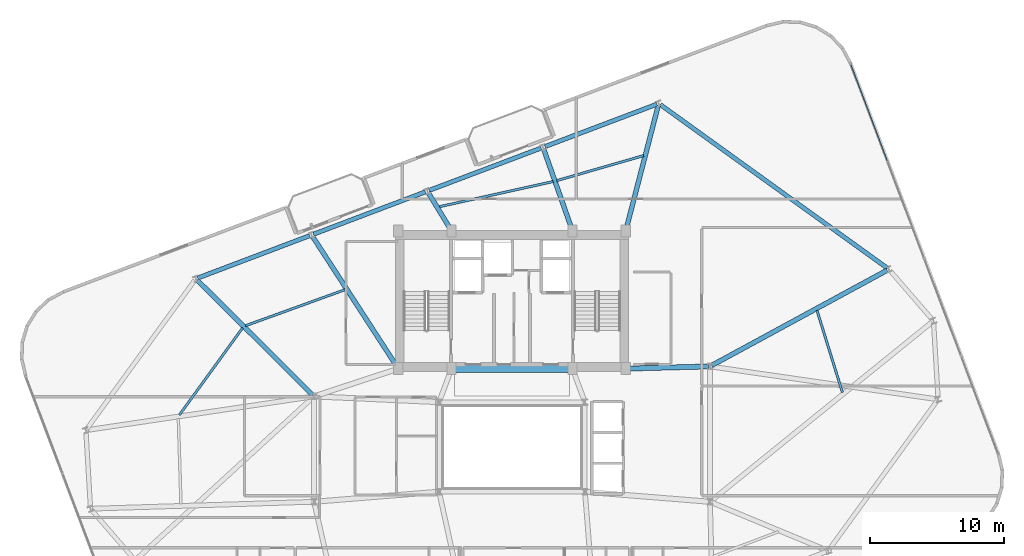
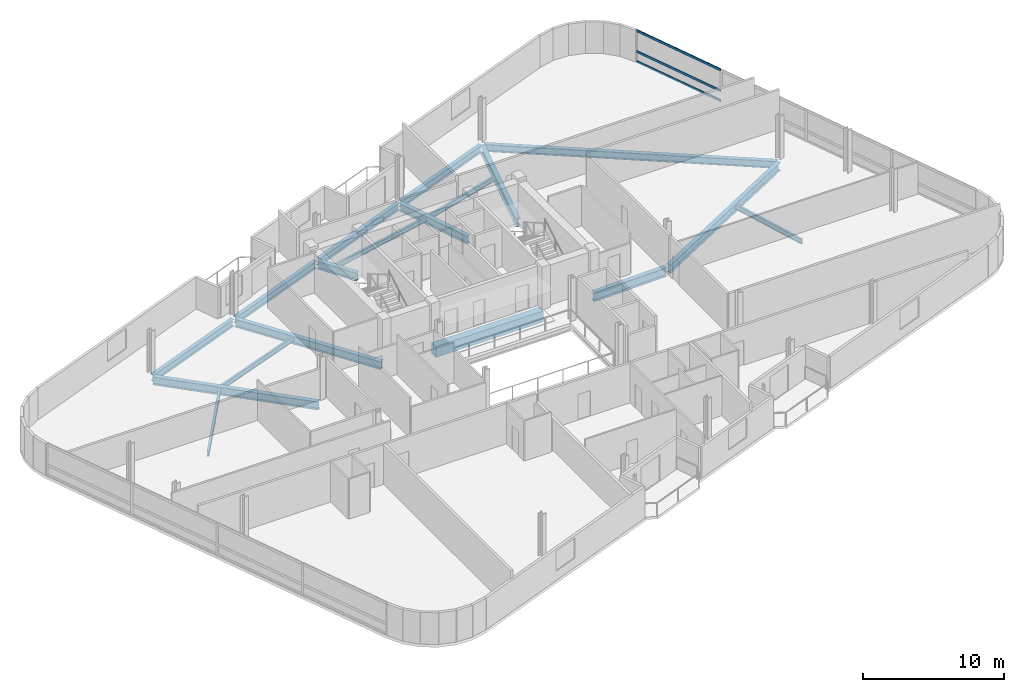
# One storey, part 9 of 19: 18 beams, 3 members, 1 element without a shape of its own.
"""IFC4 building model written with IfcOpenShell, lengths in metres."""

from ifc_helpers import new_model, si_unit, direction, frame, origin, origin_2d, place, context, subcontext, project, spatial, rectangle, hollow_rectangle, i_section, extrude, material, layer, layer_set, material_profile, profile_set, type_object, element, aggregate, save


model = new_model("IFC4")

# Units and contexts
model_context = context("Model", 3, precision=1e-05, world=origin(), true_north=direction((0.0, 1.0)))
body_context = subcontext(model_context, "Body", "Model", "MODEL_VIEW")
ifc_project = project(units=[si_unit("LENGTHUNIT", "METRE"), si_unit("AREAUNIT", "SQUARE_METRE"), si_unit("VOLUMEUNIT", "CUBIC_METRE"), si_unit("PLANEANGLEUNIT", "RADIAN"), si_unit("MASSUNIT", "GRAM", prefix="KILO")], contexts=[model_context])

# Site, building, storey
site_placement = place(None, origin())
site = spatial("IfcSite", under=ifc_project, at=site_placement, CompositionType="ELEMENT")
building_placement = place(site_placement, origin())
building = spatial("IfcBuilding", under=site, at=building_placement, Name="Varnelok Gate Tower", CompositionType="ELEMENT")
storey_placement = place(building_placement, frame((0.0, 0.0, 231.199951171875)))
storey = spatial("IfcBuildingStorey", under=building, at=storey_placement, Name="L59", CompositionType="ELEMENT", Elevation=231.199951171875)

# Beams
ifc_material_1 = material(Name="Structural Steel ASTM A992 Grade 50", Category="steel")
ifc_material_profile_1 = material_profile(ifc_material_1, i_section(OverallWidth=0.180908203125, OverallDepth=0.4169921875, WebThickness=0.010986328125, FlangeThickness=0.018310546875, FilletRadius=0.013916015625, at=origin_2d()), Name="W16X57")
ifc_profile_set_1 = profile_set([ifc_material_profile_1], Name="Structural Steel ASTM A992 Grade 50")
beam_type_1 = type_object("IfcBeamType", Name="BM-JST-W16X57", PredefinedType="JOIST", material=ifc_profile_set_1)
beam_1_placement = place(storey_placement, frame((63.898193359375, 26.977783203125, -0.45849609375), z_axis=(-0.296133488233, 0.955146563176, 0.0), x_axis=(-0.955146563176, -0.296133488233, 0.0)))
element("IfcBeam", 1, at=beam_1_placement, inside=storey, type_object=beam_type_1, Name="L59 Sector Floor Joist 6", PredefinedType="JOIST", context=body_context, shape_type="SweptSolid", body=[
    extrude(i_section(OverallWidth=0.180908203125, OverallDepth=0.4169921875, WebThickness=0.010986328125, FlangeThickness=0.018310546875, FilletRadius=0.013916015625, at=origin_2d()), origin(), (0.0, 0.0, 1.0), 6.415771484375),
])
beam_2_placement = place(storey_placement, frame((49.03564453125, 44.6767578125, -0.45849609375), z_axis=(-0.960863749944, -0.277021396365, 0.0), x_axis=(0.277021396365, -0.960863749944, 0.0)))
element("IfcBeam", 2, at=beam_2_placement, inside=storey, type_object=beam_type_1, Name="L59 Sector Floor Joist 7", PredefinedType="JOIST", context=body_context, shape_type="SweptSolid", body=[
    extrude(i_section(OverallWidth=0.180908203125, OverallDepth=0.4169921875, WebThickness=0.010986328125, FlangeThickness=0.018310546875, FilletRadius=0.013916015625, at=origin_2d()), origin(), (0.0, 0.0, 1.0), 6.75439453125),
])
beam_3_placement = place(storey_placement, frame((42.2744140625, 42.736572265625, -0.45849609375), z_axis=(-0.976391660432, -0.216007697639, 0.0), x_axis=(0.216007697639, -0.976391660432, 0.0)))
element("IfcBeam", 3, at=beam_3_placement, inside=storey, type_object=beam_type_1, Name="L59 Sector Floor Joist 8", PredefinedType="JOIST", context=body_context, shape_type="SweptSolid", body=[
    extrude(i_section(OverallWidth=0.180908203125, OverallDepth=0.4169921875, WebThickness=0.010986328125, FlangeThickness=0.018310546875, FilletRadius=0.013916015625, at=origin_2d()), origin(), (0.0, 0.0, 1.0), 8.7412109375),
])
beam_4_placement = place(storey_placement, frame((26.7119140625, 34.650390625, -0.45849609375), z_axis=(-0.940283740467, -0.340391667662, 0.0), x_axis=(0.340391667662, -0.940283740467, 0.0)))
element("IfcBeam", 4, at=beam_4_placement, inside=storey, type_object=beam_type_1, Name="L59 Sector Floor Joist 9", PredefinedType="JOIST", context=body_context, shape_type="SweptSolid", body=[
    extrude(i_section(OverallWidth=0.180908203125, OverallDepth=0.4169921875, WebThickness=0.010986328125, FlangeThickness=0.018310546875, FilletRadius=0.013916015625, at=origin_2d()), origin(), (0.0, 0.0, 1.0), 7.907470703125),
])
beam_5_placement = place(storey_placement, frame((19.0625, 31.797607421875, -0.45849609375), z_axis=(-0.587540144544, -0.809195018861, 0.0), x_axis=(0.809195018861, -0.587540144544, 0.0)))
element("IfcBeam", 5, at=beam_5_placement, inside=storey, type_object=beam_type_1, Name="L59 Sector Floor Joist 10", PredefinedType="JOIST", context=body_context, shape_type="SweptSolid", body=[
    extrude(i_section(OverallWidth=0.180908203125, OverallDepth=0.4169921875, WebThickness=0.010986328125, FlangeThickness=0.018310546875, FilletRadius=0.013916015625, at=origin_2d()), origin(), (0.0, 0.0, 1.0), 8.047119140625),
])
ifc_material_2 = material(Name="Concrete C60/75", Category="concrete")
ifc_material_profile_2 = material_profile(ifc_material_2, rectangle(XDim=0.60009765625, YDim=0.949951171875, at=origin_2d()), Name="RC950X600")
ifc_profile_set_2 = profile_set([ifc_material_profile_2], Name="Concrete C60/75")
beam_type_2 = type_object("IfcBeamType", Name="BM-LNT-RC950", PredefinedType="LINTEL", material=ifc_profile_set_2)
beam_6_placement = place(storey_placement, frame((34.800048828125, 28.75, -0.724853515625), z_axis=(1.0, 0.0, 0.0), x_axis=(0.0, 1.0, 0.0)))
element("IfcBeam", 6, at=beam_6_placement, inside=storey, type_object=beam_type_2, Name="L59 Core-Atrium Spine Beam 7", PredefinedType="LINTEL", context=body_context, shape_type="SweptSolid", body=[
    extrude(rectangle(XDim=0.60009765625, YDim=0.949951171875, at=origin_2d()), origin(), (0.0, 0.0, 1.0), 8.800048828125),
])
ifc_material_profile_3 = material_profile(ifc_material_1, i_section(OverallWidth=0.35498046875, OverallDepth=0.696044921875, WebThickness=0.015380859375, FlangeThickness=0.02490234375, FilletRadius=0.02001953125, at=origin_2d()), Name="W27X146")
ifc_profile_set_3 = profile_set([ifc_material_profile_3], Name="Structural Steel ASTM A992 Grade 50")
beam_type_3 = type_object("IfcBeamType", Name="BM-PRI-W27X146", PredefinedType="BEAM", material=ifc_profile_set_3)
beam_7_placement = place(storey_placement, frame((54.1318359375, 28.99169921875, -0.597900390625), z_axis=(0.878855196349, 0.477088612157, 0.0), x_axis=(-0.477088612157, 0.878855196349, 0.0)))
element("IfcBeam", 7, at=beam_7_placement, inside=storey, type_object=beam_type_3, Name="L59 Radial Floor Girder 8", PredefinedType="BEAM", context=body_context, shape_type="SweptSolid", body=[
    extrude(i_section(OverallWidth=0.35498046875, OverallDepth=0.696044921875, WebThickness=0.015380859375, FlangeThickness=0.02490234375, FilletRadius=0.02001953125, at=origin_2d()), origin(), (0.0, 0.0, 1.0), 14.91650390625),
])
beam_8_placement = place(storey_placement, frame((47.73779296875, 39.1953125, -0.597900390625), z_axis=(0.251175366301, 0.967941597083, 0.0), x_axis=(-0.967941597083, 0.251175366301, 0.0)))
element("IfcBeam", 8, at=beam_8_placement, inside=storey, type_object=beam_type_3, Name="L59 Radial Floor Girder 9", PredefinedType="BEAM", context=body_context, shape_type="SweptSolid", body=[
    extrude(i_section(OverallWidth=0.35498046875, OverallDepth=0.696044921875, WebThickness=0.015380859375, FlangeThickness=0.02490234375, FilletRadius=0.02001953125, at=origin_2d()), origin(), (0.0, 0.0, 1.0), 9.537109375),
])
beam_9_placement = place(storey_placement, frame((43.670166015625, 39.19140625, -0.597900390625), z_axis=(-0.332145441042, 0.943228183419, 0.0), x_axis=(-0.943228183419, -0.332145441042, 0.0)))
element("IfcBeam", 9, at=beam_9_placement, inside=storey, type_object=beam_type_3, Name="L59 Radial Floor Girder 10", PredefinedType="BEAM", context=body_context, shape_type="SweptSolid", body=[
    extrude(i_section(OverallWidth=0.35498046875, OverallDepth=0.696044921875, WebThickness=0.015380859375, FlangeThickness=0.02490234375, FilletRadius=0.02001953125, at=origin_2d()), origin(), (0.0, 0.0, 1.0), 6.32275390625),
])
beam_10_placement = place(storey_placement, frame((34.60205078125, 39.177978515625, -0.597900390625), z_axis=(-0.520275699177, 0.853998358808, 0.0), x_axis=(-0.853998358808, -0.520275699177, 0.0)))
element("IfcBeam", 10, at=beam_10_placement, inside=storey, type_object=beam_type_3, Name="L59 Radial Floor Girder 11", PredefinedType="BEAM", context=body_context, shape_type="SweptSolid", body=[
    extrude(i_section(OverallWidth=0.35498046875, OverallDepth=0.696044921875, WebThickness=0.015380859375, FlangeThickness=0.02490234375, FilletRadius=0.02001953125, at=origin_2d()), origin(), (0.0, 0.0, 1.0), 3.18017578125),
])
beam_11_placement = place(storey_placement, frame((30.618408203125, 28.8759765625, -0.597900390625), z_axis=(-0.544016338938, 0.839074623004, 0.0), x_axis=(-0.839074623004, -0.544016338938, 0.0)))
element("IfcBeam", 11, at=beam_11_placement, inside=storey, type_object=beam_type_3, Name="L59 Radial Floor Girder 12", PredefinedType="BEAM", context=body_context, shape_type="SweptSolid", body=[
    extrude(i_section(OverallWidth=0.35498046875, OverallDepth=0.696044921875, WebThickness=0.015380859375, FlangeThickness=0.02490234375, FilletRadius=0.02001953125, at=origin_2d()), origin(), (0.0, 0.0, 1.0), 11.61376953125),
])
beam_12_placement = place(storey_placement, frame((24.293701171875, 26.785888671875, -0.597900390625), z_axis=(-0.708740938647, 0.705468838352, 0.0), x_axis=(-0.705468838352, -0.708740938647, 0.0)))
element("IfcBeam", 12, at=beam_12_placement, inside=storey, type_object=beam_type_3, Name="L59 Radial Floor Girder 13", PredefinedType="BEAM", context=body_context, shape_type="SweptSolid", body=[
    extrude(i_section(OverallWidth=0.35498046875, OverallDepth=0.696044921875, WebThickness=0.015380859375, FlangeThickness=0.02490234375, FilletRadius=0.02001953125, at=origin_2d()), origin(), (0.0, 0.0, 1.0), 12.161865234375),
])
ifc_material_profile_4 = material_profile(ifc_material_1, i_section(OverallWidth=0.381103515625, OverallDepth=0.77294921875, WebThickness=0.0166015625, FlangeThickness=0.027099609375, FilletRadius=0.02197265625, at=origin_2d()), Name="W30X173")
ifc_profile_set_4 = profile_set([ifc_material_profile_4], Name="Structural Steel ASTM A992 Grade 50")
beam_type_4 = type_object("IfcBeamType", Name="BM-PRI-W30X173", PredefinedType="BEAM", material=ifc_profile_set_4)
beam_13_placement = place(storey_placement, frame((47.820068359375, 28.753173828125, -0.636474609375), z_axis=(0.999635880609, 0.026983443053, 0.0), x_axis=(-0.026983443053, 0.999635880609, 0.0)))
element("IfcBeam", 13, at=beam_13_placement, inside=storey, type_object=beam_type_4, Name="L59 Core-Atrium Spine Beam 19", PredefinedType="BEAM", context=body_context, shape_type="SweptSolid", body=[
    extrude(i_section(OverallWidth=0.381103515625, OverallDepth=0.77294921875, WebThickness=0.0166015625, FlangeThickness=0.027099609375, FilletRadius=0.02197265625, at=origin_2d()), origin(), (0.0, 0.0, 1.0), 6.06201171875),
])
ifc_material_profile_5 = material_profile(ifc_material_1, i_section(OverallWidth=0.323974609375, OverallDepth=0.611083984375, WebThickness=0.0126953125, FlangeThickness=0.01904296875, FilletRadius=0.01806640625, at=origin_2d()), Name="W24X104")
ifc_profile_set_5 = profile_set([ifc_material_profile_5], Name="Structural Steel ASTM A992 Grade 50")
beam_type_5 = type_object("IfcBeamType", Name="BM-SPN-W24X104", PredefinedType="SPANDREL", material=ifc_profile_set_5)
beam_14_placement = place(storey_placement, frame((67.251220703125, 36.267333984375, -0.555419921875), z_axis=(-0.811382769408, 0.58451518501, 0.0), x_axis=(-0.58451518501, -0.811382769408, 0.0)))
element("IfcBeam", 14, at=beam_14_placement, inside=storey, type_object=beam_type_5, Name="L59 Perimeter Spandrel Beam 8", PredefinedType="SPANDREL", context=body_context, shape_type="SweptSolid", body=[
    extrude(i_section(OverallWidth=0.323974609375, OverallDepth=0.611083984375, WebThickness=0.0126953125, FlangeThickness=0.01904296875, FilletRadius=0.01806640625, at=origin_2d()), origin(), (0.0, 0.0, 1.0), 20.900634765625),
])
beam_15_placement = place(storey_placement, frame((50.03076171875, 48.518798828125, -0.555419921875), z_axis=(-0.935220356141, -0.354066216208, 0.0), x_axis=(0.354066216208, -0.935220356141, 0.0)))
element("IfcBeam", 15, at=beam_15_placement, inside=storey, type_object=beam_type_5, Name="L59 Perimeter Spandrel Beam 9", PredefinedType="SPANDREL", context=body_context, shape_type="SweptSolid", body=[
    extrude(i_section(OverallWidth=0.323974609375, OverallDepth=0.611083984375, WebThickness=0.0126953125, FlangeThickness=0.01904296875, FilletRadius=0.01806640625, at=origin_2d()), origin(), (0.0, 0.0, 1.0), 8.9501953125),
])
for number, where, z_axis, x_axis, name in (
    (16, (41.3798828125, 45.24365234375, -0.555419921875), (-0.935225969099, -0.354051389947, 0.0), (0.354051389947, -0.935225969099, 0.0), "L59 Perimeter Spandrel Beam 10"),
    (17, (32.72900390625, 41.96875, -0.555419921875), (-0.935216936382, -0.354075248928, 0.0), (0.354075248928, -0.935216936382, 0.0), "L59 Perimeter Spandrel Beam 11"),
):
    element("IfcBeam", number, at=place(storey_placement, frame(where, z_axis=z_axis, x_axis=x_axis)), inside=storey, type_object=beam_type_5, Name=name, PredefinedType="SPANDREL", context=body_context, shape_type="SweptSolid", body=[
        extrude(i_section(OverallWidth=0.323974609375, OverallDepth=0.611083984375, WebThickness=0.0126953125, FlangeThickness=0.01904296875, FilletRadius=0.01806640625, at=origin_2d()), origin(), (0.0, 0.0, 1.0), 8.949951171875),
    ])
beam_16_placement = place(storey_placement, frame((24.078369140625, 38.693603515625, -0.555419921875), z_axis=(-0.935220356141, -0.354066216208, 0.0), x_axis=(0.354066216208, -0.935220356141, 0.0)))
element("IfcBeam", 18, at=beam_16_placement, inside=storey, type_object=beam_type_5, Name="L59 Perimeter Spandrel Beam 12", PredefinedType="SPANDREL", context=body_context, shape_type="SweptSolid", body=[
    extrude(i_section(OverallWidth=0.323974609375, OverallDepth=0.611083984375, WebThickness=0.0126953125, FlangeThickness=0.01904296875, FilletRadius=0.01806640625, at=origin_2d()), origin(), (0.0, 0.0, 1.0), 8.9501953125),
])

# Curtain wall, members
ifc_material_3 = material(Name="Anodized Aluminum Alloy 6063-T6", Category="aluminium")
ifc_layer = layer(ifc_material_3, 0.179931640625)
ifc_layer_set = layer_set([ifc_layer], Name="Anodized Aluminum Alloy 6063-T6")
curtain_wall_type = type_object("IfcCurtainWallType", Name="CW4-RESIDENCE-VISION", PredefinedType="USERDEFINED", material=ifc_layer_set)
curtain_wall_placement = place(storey_placement, origin())
curtain_wall = element("IfcCurtainWall", 19, at=curtain_wall_placement, inside=storey, type_object=curtain_wall_type, Name="L59 East End Vision Curtain Wall", ObjectType="UNITISED CURTAIN WALL", PredefinedType="USERDEFINED")
ifc_material_profile_6 = material_profile(ifc_material_3, hollow_rectangle(XDim=0.074951171875, YDim=0.199951171875, WallThickness=0.00390625, at=origin_2d()), Name="ALU200X75X4")
ifc_profile_set_6 = profile_set([ifc_material_profile_6], Name="Anodized Aluminum Alloy 6063-T6")
member_type = type_object("IfcMemberType", Name="CW-TRAN-200", PredefinedType="USERDEFINED", material=ifc_profile_set_6)
member_1_placement = place(storey_placement, frame((64.528076171875, 51.4892578125, 0.03759765625), z_axis=(0.354073041953, -0.935217771945, 0.0), x_axis=(0.935217771945, 0.354073041953, 0.0)))
member_1 = element("IfcMember", 20, at=member_1_placement, type_object=member_type, Name="CW4 transom 1.1", ObjectType="TRANSOM", PredefinedType="USERDEFINED", context=body_context, shape_type="SweptSolid", body=[
    extrude(hollow_rectangle(XDim=0.074951171875, YDim=0.199951171875, WallThickness=0.00390625, at=origin_2d()), origin(), (0.0, 0.0, 1.0), 7.6875),
])
member_2_placement = place(storey_placement, frame((64.528076171875, 51.4892578125, 0.900146484375), z_axis=(0.354073041953, -0.935217771945, 0.0), x_axis=(0.935217771945, 0.354073041953, 0.0)))
member_2 = element("IfcMember", 21, at=member_2_placement, type_object=member_type, Name="CW4 transom 1.2", ObjectType="TRANSOM", PredefinedType="USERDEFINED", context=body_context, shape_type="SweptSolid", body=[
    extrude(hollow_rectangle(XDim=0.074951171875, YDim=0.199951171875, WallThickness=0.00390625, at=origin_2d()), origin(), (0.0, 0.0, 1.0), 7.6875),
])
member_3_placement = place(storey_placement, frame((64.528076171875, 51.4892578125, 2.692626953125), z_axis=(0.354073041953, -0.935217771945, 0.0), x_axis=(0.935217771945, 0.354073041953, 0.0)))
member_3 = element("IfcMember", 22, at=member_3_placement, type_object=member_type, Name="CW4 transom 1.3", ObjectType="TRANSOM", PredefinedType="USERDEFINED", context=body_context, shape_type="SweptSolid", body=[
    extrude(hollow_rectangle(XDim=0.074951171875, YDim=0.199951171875, WallThickness=0.00390625, at=origin_2d()), origin(), (0.0, 0.0, 1.0), 7.6875),
])
aggregate(curtain_wall, [member_1, member_2, member_3])

save(model, "model.ifc")
